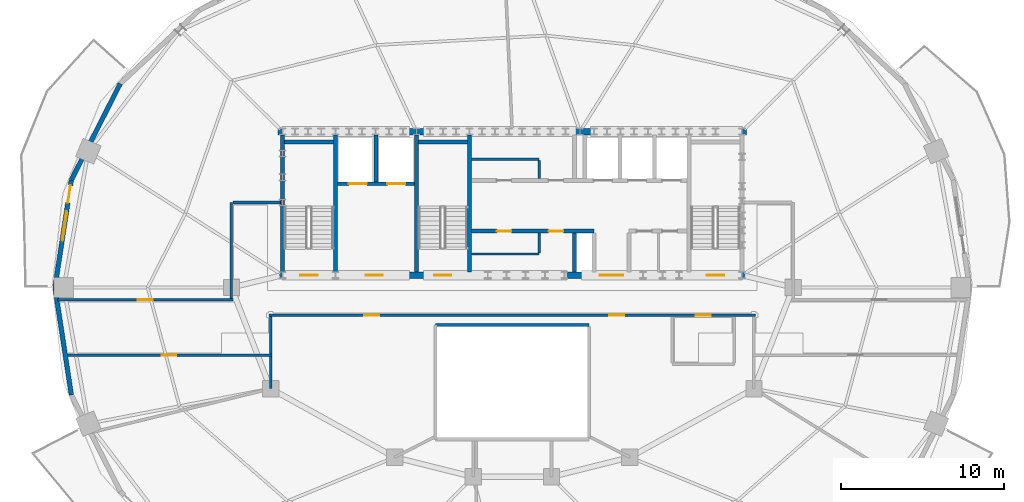
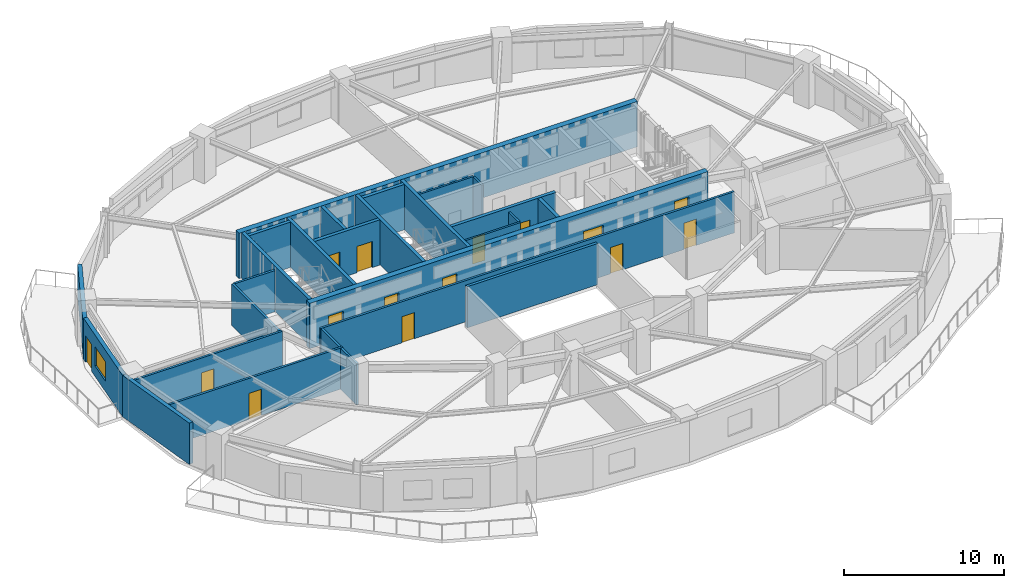
# One storey, part 4 of 11: 27 walls, 15 doors, 1 window, 16 openings.
"""IFC4 building model written with IfcOpenShell, lengths in metres."""

from ifc_helpers import new_model, si_unit, direction, frame, frame_2d, origin, place, context, subcontext, project, spatial, rectangle, extrude, material, layer, layer_set, type_object, element, fill, save


model = new_model("IFC4")

# Units and contexts
model_context = context("Model", 3, precision=1e-05, world=origin(), true_north=direction((0.0, 1.0)))
body_context = subcontext(model_context, "Body", "Model", "MODEL_VIEW")
ifc_project = project(units=[si_unit("LENGTHUNIT", "METRE"), si_unit("AREAUNIT", "SQUARE_METRE"), si_unit("VOLUMEUNIT", "CUBIC_METRE"), si_unit("PLANEANGLEUNIT", "RADIAN"), si_unit("MASSUNIT", "GRAM", prefix="KILO")], contexts=[model_context])

# Site, building, storey
site_placement = place(None, origin())
site = spatial("IfcSite", under=ifc_project, at=site_placement, CompositionType="ELEMENT")
building_placement = place(site_placement, origin())
building = spatial("IfcBuilding", under=site, at=building_placement, Name="Haldorwick Loom Tower", CompositionType="ELEMENT")
storey_placement = place(building_placement, frame((0.0, 0.0, 218.64990234375)))
storey = spatial("IfcBuildingStorey", under=building, at=storey_placement, Name="L59", CompositionType="ELEMENT", Elevation=218.64990234375)

# Wall
ifc_material_1 = material(Name="Pressed Clay Face Brick and Insulated Masonry Backup Assembly", Category="masonry")
ifc_layer_1 = layer(ifc_material_1, 0.280029296875, Name="Pressed Clay Face Brick and Insulated Masonry Backup Assembly", Category="masonry")
ifc_layer_set_1 = layer_set([ifc_layer_1], Name="Pressed Clay Face Brick and Insulated Masonry Backup Assembly")
wall_type_1 = type_object("IfcWallType", Name="ARC-WL-EXT280", PredefinedType="STANDARD", material=ifc_layer_set_1)
wall_1_placement = place(storey_placement, frame((11.994384765625, 38.4853515625, 0.0), z_axis=(0.0, 0.0, 1.0), x_axis=(-0.453032066879, -0.89149422117, 0.0)))
element("IfcWall", 1, at=wall_1_placement, inside=storey, type_object=wall_type_1, Name="L59 Brick Pier and Spandrel Wall 11", PredefinedType="STANDARD", context=body_context, shape_type="SweptSolid", body=[
    extrude(rectangle(XDim=6.618896484375, YDim=0.280029296875, at=frame_2d((3.3095703125, 0.0))), origin(), (0.0, 0.0, 1.0), 2.5810546875),
])

# Wall, openings, door, window
wall_2_placement = place(storey_placement, frame((8.995849609375, 32.584716796875, 0.0), z_axis=(0.0, 0.0, 1.0), x_axis=(-0.150467697578, -0.988614926038, 0.0)))
wall_2 = element("IfcWall", 2, at=wall_2_placement, inside=storey, type_object=wall_type_1, Name="L59 Brick Pier and Spandrel Wall 12", PredefinedType="STANDARD", context=body_context, shape_type="SweptSolid", body=[
    extrude(rectangle(XDim=6.66064453125, YDim=0.280029296875, at=frame_2d((3.330322265625, 0.0))), origin(), (0.0, 0.0, 1.0), 3.150146484375),
])
opening_1_placement = place(wall_2_placement, frame((0.340087890625, 0.0, 0.0)))
opening_1 = element("IfcOpeningElement", 3, at=opening_1_placement, cuts=wall_2, Name="Opening D-BL11", PredefinedType="OPENING", context=body_context, shape_type="SweptSolid", body=[
    extrude(rectangle(XDim=1.080078125, YDim=2.0400390625, at=frame_2d((0.5400390625, 1.02001953125))), frame((0.0, 0.14990234375, 0.0), z_axis=(0.0, -1.0, 0.0), x_axis=(1.0, 0.0, 0.0)), (0.0, 0.0, 1.0), 0.300048828125),
])
opening_2_placement = place(wall_2_placement, frame((1.952392578125, 0.0, 0.800048828125)))
opening_2 = element("IfcOpeningElement", 4, at=opening_2_placement, cuts=wall_2, Name="Opening W-01", PredefinedType="OPENING", context=body_context, shape_type="SweptSolid", body=[
    extrude(rectangle(XDim=1.800048828125, YDim=1.47998046875, at=frame_2d((0.89990234375, 0.739990234375))), frame((0.0, 0.14990234375, 0.0), z_axis=(0.0, -1.0, 0.0), x_axis=(1.0, 0.0, 0.0)), (0.0, 0.0, 1.0), 0.300048828125),
])
ifc_material_2 = material(Name="Thermally Broken Anodized Aluminium Curtain Wall Framing", Category="aluminium")
door_type_1 = type_object("IfcDoorType", Name="ARC-DR-BAL110", OperationType="NOTDEFINED", PredefinedType="DOOR", material=ifc_material_2)
door_1_placement = place(opening_1_placement, origin())
door_1 = element("IfcDoor", 5, at=door_1_placement, inside=storey, type_object=door_type_1, Name="L59 Outdoor Terrace Door SLB-L59-BAL_WNW", OperationType="SINGLE_SWING_RIGHT", OverallHeight=2.0400390625, OverallWidth=1.080078125, PredefinedType="DOOR", context=body_context, shape_type="SweptSolid", body=[
    extrude(rectangle(XDim=1.080078125, YDim=2.0400390625, at=frame_2d((0.5400390625, 1.02001953125))), frame((0.0, 0.02490234375, 0.0), z_axis=(0.0, -1.0, 0.0), x_axis=(1.0, 0.0, 0.0)), (0.0, 0.0, 1.0), 0.050048828125),
])
fill(opening_1, door_1)
ifc_material_3 = material(Name="Triple-Glazed Low-E Argon Insulated Glazing Unit", Category="glass")
window_type = type_object("IfcWindowType", Name="ARC-WIN-W180", PartitioningType="SINGLE_PANEL", PredefinedType="WINDOW", material=ifc_material_3)
window_placement = place(opening_2_placement, origin())
window = element("IfcWindow", 6, at=window_placement, inside=storey, type_object=window_type, Name="L59 Deep-Set Zone 7A Window 12", OverallHeight=1.47998046875, OverallWidth=1.800048828125, PartitioningType="SINGLE_PANEL", PredefinedType="WINDOW", context=body_context, shape_type="SweptSolid", body=[
    extrude(rectangle(XDim=1.800048828125, YDim=1.47998046875, at=frame_2d((0.89990234375, 0.739990234375))), frame((0.0, 0.030029296875, 0.0), z_axis=(0.0, -1.0, 0.0), x_axis=(1.0, 0.0, 0.0)), (0.0, 0.0, 1.0), 0.06005859375),
])
fill(opening_2, window)

# Wall
wall_3_placement = place(storey_placement, frame((7.99365234375, 26.0, 0.0), z_axis=(0.0, 0.0, 1.0), x_axis=(0.150467697578, -0.988614926038, 0.0)))
element("IfcWall", 7, at=wall_3_placement, inside=storey, type_object=wall_type_1, Name="L59 Brick Pier and Spandrel Wall 13", PredefinedType="STANDARD", context=body_context, shape_type="SweptSolid", body=[
    extrude(rectangle(XDim=6.66064453125, YDim=0.280029296875, at=frame_2d((3.330322265625, 0.0))), origin(), (0.0, 0.0, 1.0), 3.150146484375),
])

# Wall, openings, doors
ifc_material_4 = material(Name="Fire-Rated Type X Gypsum Stud Assembly EI 60")
ifc_layer_2 = layer(ifc_material_4, 0.159912109375, Name="Fire-Rated Type X Gypsum Stud Assembly EI 60")
ifc_layer_set_2 = layer_set([ifc_layer_2], Name="Fire-Rated Type X Gypsum Stud Assembly EI 60")
wall_type_2 = type_object("IfcWallType", Name="ARC-WL-FIRE160", PredefinedType="PARTITIONING", material=ifc_layer_set_2)
wall_4_placement = place(storey_placement, frame((21.10009765625, 24.300048828125, 0.0), z_axis=(0.0, 0.0, 1.0), x_axis=(1.0, 0.0, 0.0)))
wall_4 = element("IfcWall", 8, at=wall_4_placement, inside=storey, type_object=wall_type_2, Name="L59 Residential Fire Partition L59-CR-SP", PredefinedType="PARTITIONING", context=body_context, shape_type="SweptSolid", body=[
    extrude(rectangle(XDim=29.7998046875, YDim=0.159912109375, at=frame_2d((14.89990234375, 0.0))), origin(), (0.0, 0.0, 1.0), 3.135009765625),
])
opening_3_placement = place(wall_4_placement, frame((20.8515625, 0.0, 0.0)))
opening_3 = element("IfcOpeningElement", 9, at=opening_3_placement, cuts=wall_4, Name="Opening D-FD60A", PredefinedType="OPENING", context=body_context, shape_type="SweptSolid", body=[
    extrude(rectangle(XDim=0.89990234375, YDim=2.0, at=frame_2d((0.449951171875, 1.0))), frame((0.0, 0.08984375, 0.0), z_axis=(0.0, -1.0, 0.0), x_axis=(1.0, 0.0, 0.0)), (0.0, 0.0, 1.0), 0.179931640625),
])
opening_4_placement = place(wall_4_placement, frame((5.841064453125, 0.0, 0.0)))
opening_4 = element("IfcOpeningElement", 10, at=opening_4_placement, cuts=wall_4, Name="Opening D-FD60A", PredefinedType="OPENING", context=body_context, shape_type="SweptSolid", body=[
    extrude(rectangle(XDim=0.89990234375, YDim=2.0, at=frame_2d((0.449951171875, 1.0))), frame((0.0, 0.08984375, 0.0), z_axis=(0.0, -1.0, 0.0), x_axis=(1.0, 0.0, 0.0)), (0.0, 0.0, 1.0), 0.179931640625),
])
opening_5_placement = place(wall_4_placement, frame((26.1494140625, 0.0, 0.0)))
opening_5 = element("IfcOpeningElement", 11, at=opening_5_placement, cuts=wall_4, Name="Opening D-FD60A", PredefinedType="OPENING", context=body_context, shape_type="SweptSolid", body=[
    extrude(rectangle(XDim=0.89990234375, YDim=2.0, at=frame_2d((0.449951171875, 1.0))), frame((0.0, 0.08984375, 0.0), z_axis=(0.0, -1.0, 0.0), x_axis=(1.0, 0.0, 0.0)), (0.0, 0.0, 1.0), 0.179931640625),
])
ifc_material_5 = material(Name="Hollow Steel Fire Door Assembly", Category="steel")
door_type_2 = type_object("IfcDoorType", Name="ARC-DR-FD60-90", OperationType="NOTDEFINED", PredefinedType="DOOR", material=ifc_material_5)
door_2_placement = place(opening_3_placement, origin())
door_2 = element("IfcDoor", 12, at=door_2_placement, inside=storey, type_object=door_type_2, Name="L59 L59 Central Residential Corridor to Tenant Seminar Meeting Room 1 Do", OperationType="SINGLE_SWING_RIGHT", OverallHeight=2.0, OverallWidth=0.89990234375, PredefinedType="DOOR", context=body_context, shape_type="SweptSolid", body=[
    extrude(rectangle(XDim=0.89990234375, YDim=2.0, at=frame_2d((0.449951171875, 1.0))), frame((0.0, 0.02490234375, 0.0), z_axis=(0.0, -1.0, 0.0), x_axis=(1.0, 0.0, 0.0)), (0.0, 0.0, 1.0), 0.050048828125),
])
fill(opening_3, door_2)
door_3_placement = place(opening_4_placement, origin())
door_3 = element("IfcDoor", 13, at=door_3_placement, inside=storey, type_object=door_type_2, Name="L59 L59 Central Residential Corridor to Tenant Seminar Meeting Room 2 Do", OperationType="SINGLE_SWING_LEFT", OverallHeight=2.0, OverallWidth=0.89990234375, PredefinedType="DOOR", context=body_context, shape_type="SweptSolid", body=[
    extrude(rectangle(XDim=0.89990234375, YDim=2.0, at=frame_2d((0.449951171875, 1.0))), frame((0.0, 0.02490234375, 0.0), z_axis=(0.0, -1.0, 0.0), x_axis=(1.0, 0.0, 0.0)), (0.0, 0.0, 1.0), 0.050048828125),
])
fill(opening_4, door_3)
door_4_placement = place(opening_5_placement, origin())
door_4 = element("IfcDoor", 14, at=door_4_placement, inside=storey, type_object=door_type_2, Name="L59 L59 Central Residential Corridor to Common Accessible WC Door", OperationType="SINGLE_SWING_RIGHT", OverallHeight=2.0, OverallWidth=0.89990234375, PredefinedType="DOOR", context=body_context, shape_type="SweptSolid", body=[
    extrude(rectangle(XDim=0.89990234375, YDim=2.0, at=frame_2d((0.449951171875, 1.0))), frame((0.0, 0.02490234375, 0.0), z_axis=(0.0, -1.0, 0.0), x_axis=(1.0, 0.0, 0.0)), (0.0, 0.0, 1.0), 0.050048828125),
])
fill(opening_5, door_4)

# Wall, opening, door
wall_5_placement = place(storey_placement, frame((8.6708984375, 21.85009765625, 0.0), z_axis=(0.0, 0.0, 1.0), x_axis=(1.0, 0.0, 0.0)))
wall_5 = element("IfcWall", 15, at=wall_5_placement, inside=storey, type_object=wall_type_2, Name="L59 Residential Fire Partition L59-CR-SPW", PredefinedType="PARTITIONING", context=body_context, shape_type="SweptSolid", body=[
    extrude(rectangle(XDim=12.629150390625, YDim=0.159912109375, at=frame_2d((6.314453125, 0.0))), origin(), (0.0, 0.0, 1.0), 3.135009765625),
])
opening_6_placement = place(wall_5_placement, frame((5.864501953125, 0.0, 0.0)))
opening_6 = element("IfcOpeningElement", 16, at=opening_6_placement, cuts=wall_5, Name="Opening D-FD60A", PredefinedType="OPENING", context=body_context, shape_type="SweptSolid", body=[
    extrude(rectangle(XDim=0.89990234375, YDim=2.0, at=frame_2d((0.449951171875, 1.0))), frame((0.0, 0.08984375, 0.0), z_axis=(0.0, -1.0, 0.0), x_axis=(1.0, 0.0, 0.0)), (0.0, 0.0, 1.0), 0.179931640625),
])
door_5_placement = place(opening_6_placement, origin())
door_5 = element("IfcDoor", 17, at=door_5_placement, inside=storey, type_object=door_type_2, Name="L59 L59 Central Residential Corridor to Wellness Therapy Room 2 Door", OperationType="SINGLE_SWING_LEFT", OverallHeight=2.0, OverallWidth=0.89990234375, PredefinedType="DOOR", context=body_context, shape_type="SweptSolid", body=[
    extrude(rectangle(XDim=0.89990234375, YDim=2.0, at=frame_2d((0.449951171875, 1.0))), frame((0.0, 0.02490234375, 0.0), z_axis=(0.0, -1.0, 0.0), x_axis=(1.0, 0.0, 0.0)), (0.0, 0.0, 1.0), 0.050048828125),
])
fill(opening_6, door_5)

# Wall
wall_6_placement = place(storey_placement, frame((21.199951171875, 21.93310546875, 0.0), z_axis=(0.0, 0.0, 1.0), x_axis=(0.0, 1.0, 0.0)))
element("IfcWall", 18, at=wall_6_placement, inside=storey, type_object=wall_type_2, Name="L59 Residential Fire Partition L59-CR-STW", PredefinedType="PARTITIONING", context=body_context, shape_type="SweptSolid", body=[
    extrude(rectangle(XDim=2.283935546875, YDim=0.159912109375, at=frame_2d((1.14208984375, 0.0))), origin(), (0.0, 0.0, 1.0), 3.135009765625),
])

# Wall, opening, door
wall_7_placement = place(storey_placement, frame((8.1533203125, 25.25, 0.0), z_axis=(0.0, 0.0, 1.0), x_axis=(1.0, 0.0, 0.0)))
wall_7 = element("IfcWall", 19, at=wall_7_placement, inside=storey, type_object=wall_type_2, Name="L59 Residential Fire Partition L59-CR-NWL", PredefinedType="PARTITIONING", context=body_context, shape_type="SweptSolid", body=[
    extrude(rectangle(XDim=10.74658203125, YDim=0.159912109375, at=frame_2d((5.373291015625, 0.0))), origin(), (0.0, 0.0, 1.0), 3.135009765625),
])
opening_7_placement = place(wall_7_placement, frame((4.92333984375, 0.0, 0.0)))
opening_7 = element("IfcOpeningElement", 20, at=opening_7_placement, cuts=wall_7, Name="Opening D-FD60A", PredefinedType="OPENING", context=body_context, shape_type="SweptSolid", body=[
    extrude(rectangle(XDim=0.89990234375, YDim=2.0, at=frame_2d((0.449951171875, 1.0))), frame((0.0, 0.08984375, 0.0), z_axis=(0.0, -1.0, 0.0), x_axis=(1.0, 0.0, 0.0)), (0.0, 0.0, 1.0), 0.179931640625),
])
door_6_placement = place(opening_7_placement, frame((0.89990234375, 0.0, 0.0), z_axis=(0.0, 0.0, 1.0), x_axis=(-1.0, 0.0, 0.0)))
door_6 = element("IfcDoor", 21, at=door_6_placement, inside=storey, type_object=door_type_2, Name="L59 Tenant Seminar Meeting Room 5 to L59 Central Residential Corridor Do", OperationType="SINGLE_SWING_RIGHT", OverallHeight=2.0, OverallWidth=0.89990234375, PredefinedType="DOOR", context=body_context, shape_type="SweptSolid", body=[
    extrude(rectangle(XDim=0.89990234375, YDim=2.0, at=frame_2d((0.449951171875, 1.0))), frame((0.0, 0.02490234375, 0.0), z_axis=(0.0, -1.0, 0.0), x_axis=(1.0, 0.0, 0.0)), (0.0, 0.0, 1.0), 0.050048828125),
])
fill(opening_7, door_6)

# Walls
wall_8_placement = place(storey_placement, frame((18.800048828125, 25.3330078125, 0.0), z_axis=(0.0, 0.0, 1.0), x_axis=(0.0, 1.0, 0.0)))
element("IfcWall", 22, at=wall_8_placement, inside=storey, type_object=wall_type_2, Name="L59 Residential Fire Partition L59-CR-W0", PredefinedType="PARTITIONING", context=body_context, shape_type="SweptSolid", body=[
    extrude(rectangle(XDim=5.866943359375, YDim=0.159912109375, at=frame_2d((2.93359375, 0.0))), origin(), (0.0, 0.0, 1.0), 3.135009765625),
])
wall_9_placement = place(storey_placement, frame((18.883056640625, 31.199951171875, 0.0), z_axis=(0.0, 0.0, 1.0), x_axis=(1.0, 0.0, 0.0)))
element("IfcWall", 23, at=wall_9_placement, inside=storey, type_object=wall_type_2, Name="L59 Residential Fire Partition L59-CR-WNJ", PredefinedType="PARTITIONING", context=body_context, shape_type="SweptSolid", body=[
    extrude(rectangle(XDim=2.923828125, YDim=0.159912109375, at=frame_2d((1.4619140625, 0.0))), origin(), (0.0, 0.0, 1.0), 3.135009765625),
])
wall_10_placement = place(storey_placement, frame((21.199951171875, 21.76708984375, 0.0), z_axis=(0.0, 0.0, 1.0), x_axis=(0.0, -1.0, 0.0)))
element("IfcWall", 24, at=wall_10_placement, inside=storey, type_object=wall_type_2, Name="L59 Residential Fire Partition L59-ICA-07", PredefinedType="PARTITIONING", context=body_context, shape_type="SweptSolid", body=[
    extrude(rectangle(XDim=1.967041015625, YDim=0.159912109375, at=frame_2d((0.9833984375, 0.0))), origin(), (0.0, 0.0, 1.0), 3.135009765625),
])
ifc_material_6 = material(Name="Fire-Rated Type X Gypsum Stud Assembly EI 120")
ifc_layer_3 = layer(ifc_material_6, 0.199951171875, Name="Fire-Rated Type X Gypsum Stud Assembly EI 120")
ifc_layer_set_3 = layer_set([ifc_layer_3], Name="Fire-Rated Type X Gypsum Stud Assembly EI 120")
wall_type_3 = type_object("IfcWallType", Name="ARC-WL-FIRE200", PredefinedType="PARTITIONING", material=ifc_layer_set_3)
wall_11_placement = place(storey_placement, frame((31.300048828125, 23.699951171875, 0.0), z_axis=(0.0, 0.0, 1.0), x_axis=(1.0, 0.0, 0.0)))
element("IfcWall", 25, at=wall_11_placement, inside=storey, type_object=wall_type_3, Name="L59 Atrium Fire Enclosure Wall N", PredefinedType="PARTITIONING", context=body_context, shape_type="SweptSolid", body=[
    extrude(rectangle(XDim=9.39990234375, YDim=0.199951171875, at=frame_2d((4.699951171875, 0.0))), origin(), (0.0, 0.0, 1.0), 3.135009765625),
])
ifc_layer_4 = layer(ifc_material_4, 0.139892578125, Name="Fire-Rated Type X Gypsum Stud Assembly EI 60")
ifc_layer_set_4 = layer_set([ifc_layer_4], Name="Fire-Rated Type X Gypsum Stud Assembly EI 60")
wall_type_4 = type_object("IfcWallType", Name="ARC-WL-PART140", PredefinedType="PARTITIONING", material=ifc_layer_set_4)
wall_12_placement = place(storey_placement, frame((33.492919921875, 33.85009765625, 0.0), z_axis=(0.0, 0.0, 1.0), x_axis=(1.0, 0.0, 0.0)))
element("IfcWall", 26, at=wall_12_placement, inside=storey, type_object=wall_type_4, Name="L59 Storage South Partition", PredefinedType="PARTITIONING", context=body_context, shape_type="SweptSolid", body=[
    extrude(rectangle(XDim=4.156982421875, YDim=0.139892578125, at=frame_2d((2.07861328125, 0.0))), origin(), (0.0, 0.0, 1.0), 3.135009765625),
])
wall_13_placement = place(storey_placement, frame((37.64990234375, 32.673095703125, 0.0), z_axis=(0.0, 0.0, 1.0), x_axis=(0.0, 1.0, 0.0)))
element("IfcWall", 27, at=wall_13_placement, inside=storey, type_object=wall_type_4, Name="L59 Storage East Partition", PredefinedType="PARTITIONING", context=body_context, shape_type="SweptSolid", body=[
    extrude(rectangle(XDim=1.10400390625, YDim=0.139892578125, at=frame_2d((0.552001953125, 0.0))), origin(), (0.0, 0.0, 1.0), 3.135009765625),
])
wall_14_placement = place(storey_placement, frame((33.492919921875, 28.050048828125, 0.0), z_axis=(0.0, 0.0, 1.0), x_axis=(1.0, 0.0, 0.0)))
element("IfcWall", 28, at=wall_14_placement, inside=storey, type_object=wall_type_4, Name="L59 Mid-Bank North Partition", PredefinedType="PARTITIONING", context=body_context, shape_type="SweptSolid", body=[
    extrude(rectangle(XDim=4.156982421875, YDim=0.139892578125, at=frame_2d((2.07861328125, 0.0))), origin(), (0.0, 0.0, 1.0), 3.135009765625),
])
wall_15_placement = place(storey_placement, frame((37.64990234375, 28.123046875, 0.0), z_axis=(0.0, 0.0, 1.0), x_axis=(0.0, 1.0, 0.0)))
element("IfcWall", 29, at=wall_15_placement, inside=storey, type_object=wall_type_4, Name="L59 Mid-Bank East Partition", PredefinedType="PARTITIONING", context=body_context, shape_type="SweptSolid", body=[
    extrude(rectangle(XDim=1.203857421875, YDim=0.139892578125, at=frame_2d((0.60205078125, 0.0))), origin(), (0.0, 0.0, 1.0), 3.135009765625),
])

# Wall, openings, doors
ifc_material_7 = material(Name="Concrete C50 (50 MPa)", Category="concrete")
ifc_layer_5 = layer(ifc_material_7, 0.39990234375, Name="Concrete C50 (50 MPa)", Category="concrete")
ifc_layer_set_5 = layer_set([ifc_layer_5], Name="Concrete C50 (50 MPa)")
wall_type_5 = type_object("IfcWallType", Name="STR-WL-CORE400", PredefinedType="SHEAR", material=ifc_layer_set_5)
wall_16_placement = place(storey_placement, frame((21.64990234375, 26.75, 0.0), z_axis=(0.0, 0.0, 1.0), x_axis=(1.0, 0.0, 0.0)))
wall_16 = element("IfcWall", 30, at=wall_16_placement, inside=storey, type_object=wall_type_5, Name="L59 Core Shear Wall S", PredefinedType="SHEAR", context=body_context, shape_type="SweptSolid", body=[
    extrude(rectangle(XDim=28.7001953125, YDim=0.39990234375, at=frame_2d((14.35009765625, 0.0))), origin(), (0.0, 0.0, 1.0), 3.4501953125),
])
opening_8_placement = place(wall_16_placement, frame((1.375, 0.0, 0.0)))
opening_8 = element("IfcOpeningElement", 31, at=opening_8_placement, cuts=wall_16, Name="Opening D-FD60", PredefinedType="OPENING", context=body_context, shape_type="SweptSolid", body=[
    extrude(rectangle(XDim=1.050048828125, YDim=2.0, at=frame_2d((0.52490234375, 1.0))), frame((0.0, 0.2099609375, 0.0), z_axis=(0.0, -1.0, 0.0), x_axis=(1.0, 0.0, 0.0)), (0.0, 0.0, 1.0), 0.419921875),
])
opening_9_placement = place(wall_16_placement, frame((5.375, 0.0, 0.0)))
opening_9 = element("IfcOpeningElement", 32, at=opening_9_placement, cuts=wall_16, Name="Opening D-FD60", PredefinedType="OPENING", context=body_context, shape_type="SweptSolid", body=[
    extrude(rectangle(XDim=1.050048828125, YDim=2.0, at=frame_2d((0.52490234375, 1.0))), frame((0.0, 0.2099609375, 0.0), z_axis=(0.0, -1.0, 0.0), x_axis=(1.0, 0.0, 0.0)), (0.0, 0.0, 1.0), 0.419921875),
])
opening_10_placement = place(wall_16_placement, frame((9.574951171875, 0.0, 0.0)))
opening_10 = element("IfcOpeningElement", 33, at=opening_10_placement, cuts=wall_16, Name="Opening D-FD60", PredefinedType="OPENING", context=body_context, shape_type="SweptSolid", body=[
    extrude(rectangle(XDim=1.050048828125, YDim=2.0, at=frame_2d((0.52490234375, 1.0))), frame((0.0, 0.2099609375, 0.0), z_axis=(0.0, -1.0, 0.0), x_axis=(1.0, 0.0, 0.0)), (0.0, 0.0, 1.0), 0.419921875),
])
opening_11_placement = place(wall_16_placement, frame((19.705078125, 0.0, 0.0)))
opening_11 = element("IfcOpeningElement", 34, at=opening_11_placement, cuts=wall_16, Name="Opening D-LB15", PredefinedType="OPENING", context=body_context, shape_type="SweptSolid", body=[
    extrude(rectangle(XDim=1.449951171875, YDim=2.0, at=frame_2d((0.72509765625, 1.0))), frame((0.0, 0.2099609375, 0.0), z_axis=(0.0, -1.0, 0.0), x_axis=(1.0, 0.0, 0.0)), (0.0, 0.0, 1.0), 0.419921875),
])
opening_12_placement = place(wall_16_placement, frame((26.27490234375, 0.0, 0.0)))
opening_12 = element("IfcOpeningElement", 35, at=opening_12_placement, cuts=wall_16, Name="Opening D-FD60", PredefinedType="OPENING", context=body_context, shape_type="SweptSolid", body=[
    extrude(rectangle(XDim=1.050048828125, YDim=2.0, at=frame_2d((0.52490234375, 1.0))), frame((0.0, 0.2099609375, 0.0), z_axis=(0.0, -1.0, 0.0), x_axis=(1.0, 0.0, 0.0)), (0.0, 0.0, 1.0), 0.419921875),
])
door_type_3 = type_object("IfcDoorType", Name="ARC-DR-FD60", OperationType="NOTDEFINED", PredefinedType="DOOR", material=ifc_material_5)
door_7_placement = place(opening_8_placement, origin())
door_7 = element("IfcDoor", 36, at=door_7_placement, inside=storey, type_object=door_type_3, Name="L59 Exit Stair ST-01 Fire Door", OperationType="SINGLE_SWING_LEFT", OverallHeight=2.0, OverallWidth=1.050048828125, PredefinedType="DOOR", context=body_context, shape_type="SweptSolid", body=[
    extrude(rectangle(XDim=1.050048828125, YDim=2.0, at=frame_2d((0.52490234375, 1.0))), frame((0.0, 0.02490234375, 0.0), z_axis=(0.0, -1.0, 0.0), x_axis=(1.0, 0.0, 0.0)), (0.0, 0.0, 1.0), 0.050048828125),
])
fill(opening_8, door_7)
door_8_placement = place(opening_9_placement, origin())
door_8 = element("IfcDoor", 37, at=door_8_placement, inside=storey, type_object=door_type_3, Name="L59 Firefighting Lift Lobby Fire Door", OperationType="SINGLE_SWING_RIGHT", OverallHeight=2.0, OverallWidth=1.050048828125, PredefinedType="DOOR", context=body_context, shape_type="SweptSolid", body=[
    extrude(rectangle(XDim=1.050048828125, YDim=2.0, at=frame_2d((0.52490234375, 1.0))), frame((0.0, 0.02490234375, 0.0), z_axis=(0.0, -1.0, 0.0), x_axis=(1.0, 0.0, 0.0)), (0.0, 0.0, 1.0), 0.050048828125),
])
fill(opening_9, door_8)
door_9_placement = place(opening_10_placement, origin())
door_9 = element("IfcDoor", 38, at=door_9_placement, inside=storey, type_object=door_type_3, Name="L59 Exit Stair ST-03 Fire Door", OperationType="SINGLE_SWING_LEFT", OverallHeight=2.0, OverallWidth=1.050048828125, PredefinedType="DOOR", context=body_context, shape_type="SweptSolid", body=[
    extrude(rectangle(XDim=1.050048828125, YDim=2.0, at=frame_2d((0.52490234375, 1.0))), frame((0.0, 0.02490234375, 0.0), z_axis=(0.0, -1.0, 0.0), x_axis=(1.0, 0.0, 0.0)), (0.0, 0.0, 1.0), 0.050048828125),
])
fill(opening_10, door_9)
door_10_placement = place(opening_12_placement, origin())
door_10 = element("IfcDoor", 39, at=door_10_placement, inside=storey, type_object=door_type_3, Name="L59 Exit Stair ST-02 Fire Door", OperationType="SINGLE_SWING_LEFT", OverallHeight=2.0, OverallWidth=1.050048828125, PredefinedType="DOOR", context=body_context, shape_type="SweptSolid", body=[
    extrude(rectangle(XDim=1.050048828125, YDim=2.0, at=frame_2d((0.52490234375, 1.0))), frame((0.0, 0.02490234375, 0.0), z_axis=(0.0, -1.0, 0.0), x_axis=(1.0, 0.0, 0.0)), (0.0, 0.0, 1.0), 0.050048828125),
])
fill(opening_12, door_10)
ifc_material_8 = material(Name="Thermally Broken Anodized Aluminium and Tempered Glass", Category="aluminium")
door_type_4 = type_object("IfcDoorType", Name="ARC-DR-LOB150", OperationType="NOTDEFINED", PredefinedType="DOOR", material=ifc_material_8)
door_11_placement = place(opening_11_placement, frame((1.449951171875, 0.0, 0.0), z_axis=(0.0, 0.0, 1.0), x_axis=(-1.0, 0.0, 0.0)))
door_11 = element("IfcDoor", 40, at=door_11_placement, inside=storey, type_object=door_type_4, Name="L59 Passenger Lift Lobby Fire Door", OperationType="DOUBLE_DOOR_SINGLE_SWING", OverallHeight=2.0, OverallWidth=1.449951171875, PredefinedType="DOOR", context=body_context, shape_type="SweptSolid", body=[
    extrude(rectangle(XDim=1.449951171875, YDim=2.0, at=frame_2d((0.72509765625, 1.0))), frame((0.0, 0.02490234375, 0.0), z_axis=(0.0, -1.0, 0.0), x_axis=(1.0, 0.0, 0.0)), (0.0, 0.0, 1.0), 0.050048828125),
])
fill(opening_11, door_11)

# Walls
wall_17_placement = place(storey_placement, frame((50.35009765625, 35.550048828125, 0.0), z_axis=(0.0, 0.0, 1.0), x_axis=(-1.0, 0.0, 0.0)))
element("IfcWall", 41, at=wall_17_placement, inside=storey, type_object=wall_type_5, Name="L59 Core Shear Wall N", PredefinedType="SHEAR", context=body_context, shape_type="SweptSolid", body=[
    extrude(rectangle(XDim=28.7001953125, YDim=0.39990234375, at=frame_2d((14.35009765625, 0.0))), origin(), (0.0, 0.0, 1.0), 3.4501953125),
])
ifc_layer_6 = layer(ifc_material_7, 0.239990234375, Name="Concrete C50 (50 MPa)", Category="concrete")
ifc_layer_set_6 = layer_set([ifc_layer_6], Name="Concrete C50 (50 MPa)")
wall_type_6 = type_object("IfcWallType", Name="STR-WL-SHAFT240", PredefinedType="SHEAR", material=ifc_layer_set_6)
for number, where, z_axis, x_axis, name in (
    (42, (21.929931640625, 35.346923828125, 0.0), (0.0, 0.0, 1.0), (0.0, -1.0, 0.0), "L59 Core Shear Wall W"),
    (43, (25.169921875, 26.952880859375, 0.0), (0.0, 0.0, 1.0), (0.0, 1.0, 0.0), "L59 Core Shear Wall 1"),
):
    element("IfcWall", number, at=place(storey_placement, frame(where, z_axis=z_axis, x_axis=x_axis)), inside=storey, type_object=wall_type_6, Name=name, PredefinedType="SHEAR", context=body_context, shape_type="SweptSolid", body=[
        extrude(rectangle(XDim=8.39404296875, YDim=0.239990234375, at=frame_2d((4.197021484375, 0.0))), origin(), (0.0, 0.0, 1.0), 3.4501953125),
    ])
wall_18_placement = place(storey_placement, frame((22.052978515625, 34.919921875, 0.0), z_axis=(0.0, 0.0, 1.0), x_axis=(1.0, 0.0, 0.0)))
element("IfcWall", 44, at=wall_18_placement, inside=storey, type_object=wall_type_6, Name="L59 Core Shear Wall 1N", PredefinedType="SHEAR", context=body_context, shape_type="SweptSolid", body=[
    extrude(rectangle(XDim=2.994140625, YDim=0.239990234375, at=frame_2d((1.4970703125, 0.0))), origin(), (0.0, 0.0, 1.0), 3.4501953125),
])
for number, where, z_axis, x_axis, name in (
    (45, (30.1298828125, 26.952880859375, 0.0), (0.0, 0.0, 1.0), (0.0, 1.0, 0.0), "L59 Core Shear Wall 2"),
    (46, (33.3701171875, 26.952880859375, 0.0), (0.0, 0.0, 1.0), (0.0, 1.0, 0.0), "L59 Core Shear Wall 3"),
):
    element("IfcWall", number, at=place(storey_placement, frame(where, z_axis=z_axis, x_axis=x_axis)), inside=storey, type_object=wall_type_6, Name=name, PredefinedType="SHEAR", context=body_context, shape_type="SweptSolid", body=[
        extrude(rectangle(XDim=8.39404296875, YDim=0.239990234375, at=frame_2d((4.197021484375, 0.0))), origin(), (0.0, 0.0, 1.0), 3.4501953125),
    ])
wall_19_placement = place(storey_placement, frame((30.2529296875, 34.919921875, 0.0), z_axis=(0.0, 0.0, 1.0), x_axis=(1.0, 0.0, 0.0)))
element("IfcWall", 47, at=wall_19_placement, inside=storey, type_object=wall_type_6, Name="L59 Core Shear Wall 3N", PredefinedType="SHEAR", context=body_context, shape_type="SweptSolid", body=[
    extrude(rectangle(XDim=2.994140625, YDim=0.239990234375, at=frame_2d((1.4970703125, 0.0))), origin(), (0.0, 0.0, 1.0), 3.4501953125),
])

# Wall, openings, doors
wall_20_placement = place(storey_placement, frame((25.29296875, 32.35009765625, 0.0), z_axis=(0.0, 0.0, 1.0), x_axis=(1.0, 0.0, 0.0)))
wall_20 = element("IfcWall", 48, at=wall_20_placement, inside=storey, type_object=wall_type_6, Name="L59 Core Shear Wall FF", PredefinedType="SHEAR", context=body_context, shape_type="SweptSolid", body=[
    extrude(rectangle(XDim=4.714111328125, YDim=0.239990234375, at=frame_2d((2.35693359375, 0.0))), origin(), (0.0, 0.0, 1.0), 3.4501953125),
])
opening_13_placement = place(wall_20_placement, frame((0.70703125, 0.0, 0.0)))
opening_13 = element("IfcOpeningElement", 49, at=opening_13_placement, cuts=wall_20, Name="Opening LD-FF1", PredefinedType="OPENING", context=body_context, shape_type="SweptSolid", body=[
    extrude(rectangle(XDim=1.10009765625, YDim=2.0, at=frame_2d((0.550048828125, 1.0))), frame((0.0, 0.1298828125, 0.0), z_axis=(0.0, -1.0, 0.0), x_axis=(1.0, 0.0, 0.0)), (0.0, 0.0, 1.0), 0.260009765625),
])
opening_14_placement = place(wall_20_placement, frame((3.056884765625, 0.0, 0.0)))
opening_14 = element("IfcOpeningElement", 50, at=opening_14_placement, cuts=wall_20, Name="Opening LD-FF2", PredefinedType="OPENING", context=body_context, shape_type="SweptSolid", body=[
    extrude(rectangle(XDim=1.10009765625, YDim=2.0, at=frame_2d((0.550048828125, 1.0))), frame((0.0, 0.1298828125, 0.0), z_axis=(0.0, -1.0, 0.0), x_axis=(1.0, 0.0, 0.0)), (0.0, 0.0, 1.0), 0.260009765625),
])
door_type_5 = type_object("IfcDoorType", Name="ARC-DR-LD-FF", OperationType="NOTDEFINED", PredefinedType="USERDEFINED", material=ifc_material_5)
door_12_placement = place(opening_13_placement, origin())
door_12 = element("IfcDoor", 51, at=door_12_placement, inside=storey, type_object=door_type_5, Name="L59 Lift LF-FF1 Sliding Landing Door", ObjectType="LANDING DOOR", OperationType="DOUBLE_DOOR_SLIDING", OverallHeight=2.0, OverallWidth=1.10009765625, PredefinedType="USERDEFINED", context=body_context, shape_type="SweptSolid", body=[
    extrude(rectangle(XDim=1.10009765625, YDim=2.0, at=frame_2d((0.550048828125, 1.0))), frame((0.0, 0.02490234375, 0.0), z_axis=(0.0, -1.0, 0.0), x_axis=(1.0, 0.0, 0.0)), (0.0, 0.0, 1.0), 0.050048828125),
])
fill(opening_13, door_12)
door_13_placement = place(opening_14_placement, origin())
door_13 = element("IfcDoor", 52, at=door_13_placement, inside=storey, type_object=door_type_5, Name="L59 Lift LF-FF2 Sliding Landing Door", ObjectType="LANDING DOOR", OperationType="DOUBLE_DOOR_SLIDING", OverallHeight=2.0, OverallWidth=1.10009765625, PredefinedType="USERDEFINED", context=body_context, shape_type="SweptSolid", body=[
    extrude(rectangle(XDim=1.10009765625, YDim=2.0, at=frame_2d((0.550048828125, 1.0))), frame((0.0, 0.02490234375, 0.0), z_axis=(0.0, -1.0, 0.0), x_axis=(1.0, 0.0, 0.0)), (0.0, 0.0, 1.0), 0.050048828125),
])
fill(opening_14, door_13)

# Wall
wall_21_placement = place(storey_placement, frame((27.64990234375, 32.472900390625, 0.0), z_axis=(0.0, 0.0, 1.0), x_axis=(0.0, 1.0, 0.0)))
element("IfcWall", 53, at=wall_21_placement, inside=storey, type_object=wall_type_6, Name="L59 Core Shear Wall FFD", PredefinedType="SHEAR", context=body_context, shape_type="SweptSolid", body=[
    extrude(rectangle(XDim=2.8740234375, YDim=0.239990234375, at=frame_2d((1.43701171875, 0.0))), origin(), (0.0, 0.0, 1.0), 3.4501953125),
])

# Wall, openings, doors
wall_22_placement = place(storey_placement, frame((33.492919921875, 29.449951171875, 0.0), z_axis=(0.0, 0.0, 1.0), x_axis=(1.0, 0.0, 0.0)))
wall_22 = element("IfcWall", 54, at=wall_22_placement, inside=storey, type_object=wall_type_6, Name="L59 Core Shear Wall LS1", PredefinedType="SHEAR", context=body_context, shape_type="SweptSolid", body=[
    extrude(rectangle(XDim=7.507080078125, YDim=0.239990234375, at=frame_2d((3.75341796875, 0.0))), origin(), (0.0, 0.0, 1.0), 3.4501953125),
])
opening_15_placement = place(wall_22_placement, frame((1.556884765625, 0.0, 0.0)))
opening_15 = element("IfcOpeningElement", 55, at=opening_15_placement, cuts=wall_22, Name="Opening D-FD60A", PredefinedType="OPENING", context=body_context, shape_type="SweptSolid", body=[
    extrude(rectangle(XDim=0.89990234375, YDim=2.0, at=frame_2d((0.449951171875, 1.0))), frame((0.0, 0.1298828125, 0.0), z_axis=(0.0, -1.0, 0.0), x_axis=(1.0, 0.0, 0.0)), (0.0, 0.0, 1.0), 0.260009765625),
])
opening_16_placement = place(wall_22_placement, frame((4.737060546875, 0.0, 0.0)))
opening_16 = element("IfcOpeningElement", 56, at=opening_16_placement, cuts=wall_22, Name="Opening D-FD60A", PredefinedType="OPENING", context=body_context, shape_type="SweptSolid", body=[
    extrude(rectangle(XDim=0.89990234375, YDim=2.0, at=frame_2d((0.449951171875, 1.0))), frame((0.0, 0.1298828125, 0.0), z_axis=(0.0, -1.0, 0.0), x_axis=(1.0, 0.0, 0.0)), (0.0, 0.0, 1.0), 0.260009765625),
])
door_14_placement = place(opening_15_placement, origin())
door_14 = element("IfcDoor", 57, at=door_14_placement, inside=storey, type_object=door_type_2, Name="L59 Sky Storage Door", OperationType="SINGLE_SWING_LEFT", OverallHeight=2.0, OverallWidth=0.89990234375, PredefinedType="DOOR", context=body_context, shape_type="SweptSolid", body=[
    extrude(rectangle(XDim=0.89990234375, YDim=2.0, at=frame_2d((0.449951171875, 1.0))), frame((0.0, 0.02490234375, 0.0), z_axis=(0.0, -1.0, 0.0), x_axis=(1.0, 0.0, 0.0)), (0.0, 0.0, 1.0), 0.050048828125),
])
fill(opening_15, door_14)
door_15_placement = place(opening_16_placement, origin())
door_15 = element("IfcDoor", 58, at=door_15_placement, inside=storey, type_object=door_type_2, Name="L59 Communications Door", OperationType="SINGLE_SWING_RIGHT", OverallHeight=2.0, OverallWidth=0.89990234375, PredefinedType="DOOR", context=body_context, shape_type="SweptSolid", body=[
    extrude(rectangle(XDim=0.89990234375, YDim=2.0, at=frame_2d((0.449951171875, 1.0))), frame((0.0, 0.02490234375, 0.0), z_axis=(0.0, -1.0, 0.0), x_axis=(1.0, 0.0, 0.0)), (0.0, 0.0, 1.0), 0.050048828125),
])
fill(opening_16, door_15)

# Wall
wall_23_placement = place(storey_placement, frame((39.800048828125, 26.952880859375, 0.0), z_axis=(0.0, 0.0, 1.0), x_axis=(0.0, 1.0, 0.0)))
element("IfcWall", 59, at=wall_23_placement, inside=storey, type_object=wall_type_6, Name="L59 Core Shear Wall MRW", PredefinedType="SHEAR", context=body_context, shape_type="SweptSolid", body=[
    extrude(rectangle(XDim=2.3740234375, YDim=0.239990234375, at=frame_2d((1.18701171875, 0.0))), origin(), (0.0, 0.0, 1.0), 3.4501953125),
])

save(model, "model.ifc")
